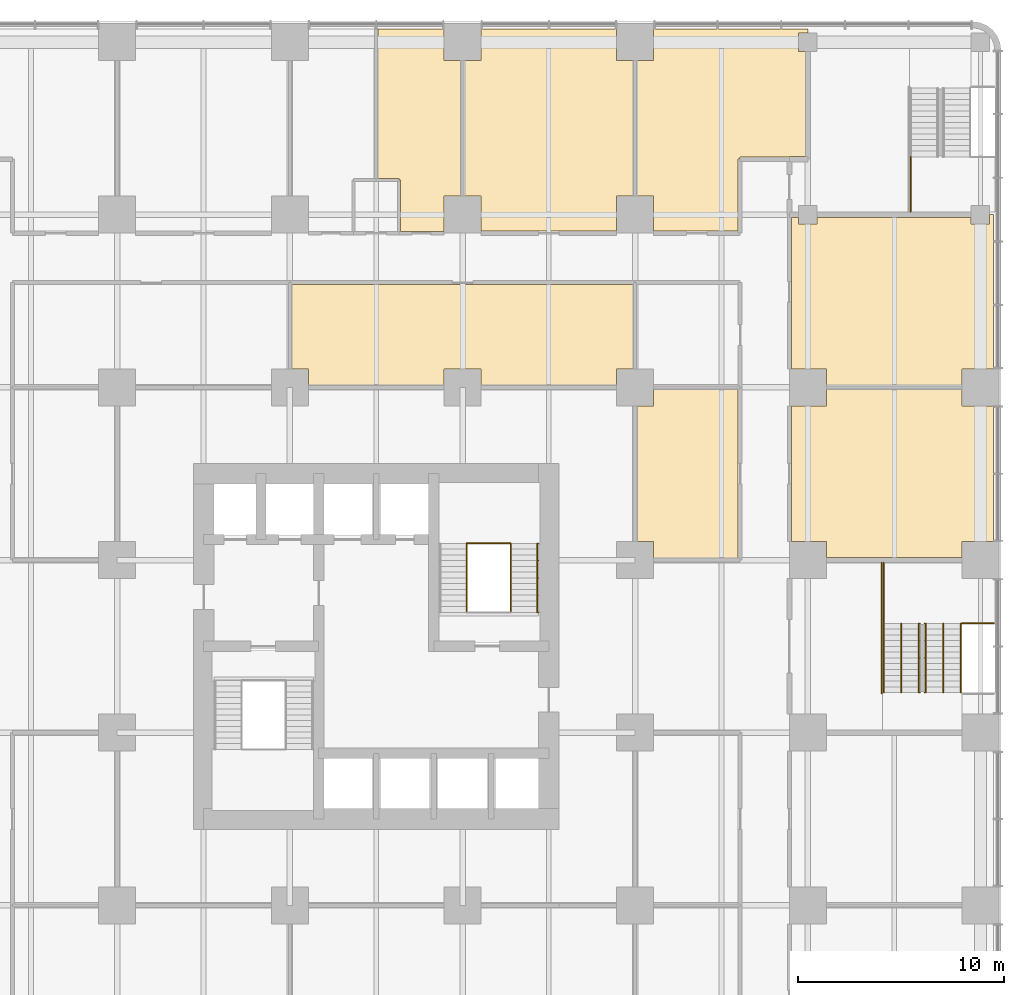
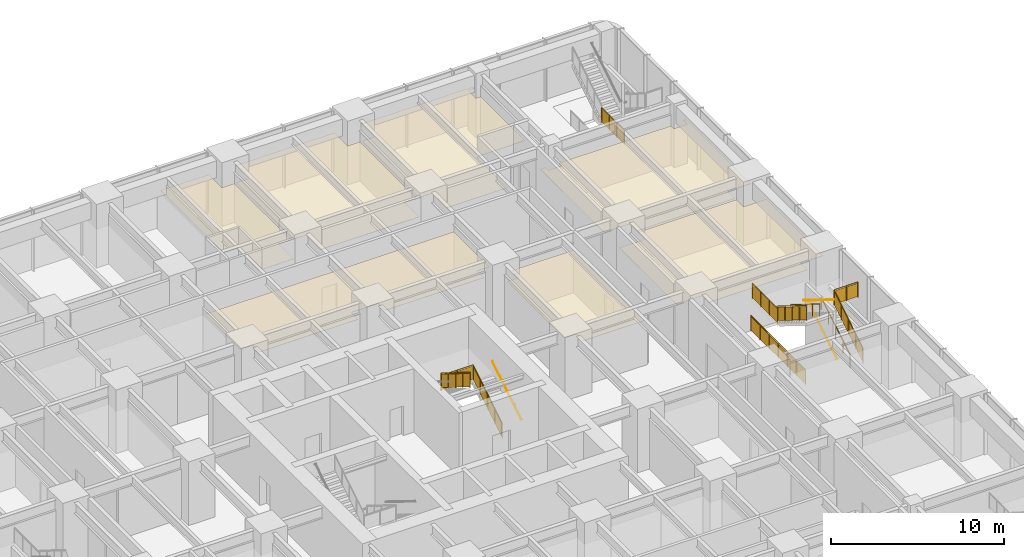
# One storey, part 18 of 19: 14 railings, 7 coverings.
"""IFC4 building model written with IfcOpenShell, lengths in metres."""

from ifc_helpers import new_model, si_unit, direction, frame, origin, origin_2d, place, context, subcontext, project, spatial, polyline, circle, outline, extrude, material, layer, layer_set, type_object, element, save


model = new_model("IFC4")

# Units and contexts
model_context = context("Model", 3, precision=1e-05, world=origin(), true_north=direction((0.0, 1.0)))
body_context = subcontext(model_context, "Body", "Model", "MODEL_VIEW")
ifc_project = project(units=[si_unit("LENGTHUNIT", "METRE"), si_unit("AREAUNIT", "SQUARE_METRE"), si_unit("VOLUMEUNIT", "CUBIC_METRE"), si_unit("PLANEANGLEUNIT", "RADIAN"), si_unit("MASSUNIT", "GRAM", prefix="KILO")], contexts=[model_context])

# Site, building, storey
site_placement = place(None, origin())
site = spatial("IfcSite", under=ifc_project, at=site_placement, CompositionType="ELEMENT")
building_placement = place(site_placement, origin())
building = spatial("IfcBuilding", under=site, at=building_placement, Name="Torre Alcanfor", CompositionType="ELEMENT")
storey_placement = place(building_placement, frame((0.0, 0.0, 15.0)))
storey = spatial("IfcBuildingStorey", under=building, at=storey_placement, Name="L03", CompositionType="ELEMENT", Elevation=15.0)

# Coverings
ifc_material_1 = material(Name="Mineral fibre acoustic tile 20 mm, NRC 0.70, on exposed suspension grid", Category="mineral fibre")
ifc_layer_1 = layer(ifc_material_1, 0.02001953125)
ifc_layer_set_1 = layer_set([ifc_layer_1], Name="Acoustic suspended ceiling 600x600 mineral fibre tile")
covering_type_1 = type_object("IfcCoveringType", Name="Acoustic suspended ceiling 600x600 mineral fibre tile", PredefinedType="CEILING", material=ifc_layer_set_1)
covering_1_placement = place(storey_placement, frame((0.0, 0.0, 2.75)))
element("IfcCovering", 1, at=covering_1_placement, inside=storey, type_object=covering_type_1, Name="Ceiling L03-13", PredefinedType="CEILING", context=body_context, shape_type="SweptSolid", body=[
    extrude(outline(polyline([(57.89990234375, 33.72509765625), (57.89990234375, 34.5), (59.425048828125, 34.5), (59.425048828125, 41.10009765625), (57.89990234375, 41.10009765625), (57.89990234375, 41.925048828125), (51.300048828125, 41.925048828125), (51.300048828125, 41.10009765625), (49.60009765625, 41.10009765625), (49.60009765625, 34.5), (51.300048828125, 34.5), (51.300048828125, 33.72509765625), (57.89990234375, 33.72509765625)])), origin(), (0.0, 0.0, 1.0), 0.02001953125),
])
covering_2_placement = place(storey_placement, frame((0.0, 0.0, 2.75)))
element("IfcCovering", 2, at=covering_2_placement, inside=storey, type_object=covering_type_1, Name="Ceiling L03-15", PredefinedType="CEILING", context=body_context, shape_type="SweptSolid", body=[
    extrude(outline(polyline([(57.89990234375, 42.074951171875), (57.89990234375, 42.89990234375), (59.425048828125, 42.89990234375), (59.425048828125, 50.39990234375), (59.25, 50.39990234375), (59.25, 49.949951171875), (58.35009765625, 49.949951171875), (58.35009765625, 50.27490234375), (50.85009765625, 50.27490234375), (50.85009765625, 49.949951171875), (49.949951171875, 49.949951171875), (49.949951171875, 50.27490234375), (49.60009765625, 50.27490234375), (49.60009765625, 42.89990234375), (51.300048828125, 42.89990234375), (51.300048828125, 42.074951171875), (57.89990234375, 42.074951171875)])), origin(), (0.0, 0.0, 1.0), 0.02001953125),
])
covering_3_placement = place(storey_placement, frame((0.0, 0.0, 2.75)))
element("IfcCovering", 3, at=covering_3_placement, inside=storey, type_object=covering_type_1, Name="Ceiling L03-17", PredefinedType="CEILING", context=body_context, shape_type="SweptSolid", body=[
    extrude(outline(polyline([(33.675048828125, 51.300048828125), (34.5, 51.300048828125), (34.5, 49.60009765625), (41.10009765625, 49.60009765625), (41.10009765625, 51.300048828125), (41.925048828125, 51.300048828125), (41.925048828125, 57.89990234375), (41.10009765625, 57.89990234375), (41.10009765625, 59.425048828125), (34.5, 59.425048828125), (34.5, 57.89990234375), (33.675048828125, 57.89990234375), (33.675048828125, 51.300048828125)])), origin(), (0.0, 0.0, 1.0), 0.02001953125),
])
covering_4_placement = place(storey_placement, frame((0.0, 0.0, 2.75)))
element("IfcCovering", 4, at=covering_4_placement, inside=storey, type_object=covering_type_1, Name="Ceiling L03-21", PredefinedType="CEILING", context=body_context, shape_type="SweptSolid", body=[
    extrude(outline(polyline([(49.949951171875, 59.25), (50.39990234375, 59.25), (50.39990234375, 59.425048828125), (42.89990234375, 59.425048828125), (42.89990234375, 57.89990234375), (42.074951171875, 57.89990234375), (42.074951171875, 51.300048828125), (42.89990234375, 51.300048828125), (42.89990234375, 49.60009765625), (47.0, 49.60009765625), (47.0, 53.10009765625), (47.10009765625, 53.10009765625), (47.10009765625, 53.199951171875), (49.5, 53.199951171875), (49.5, 53.22509765625), (50.27490234375, 53.22509765625), (50.27490234375, 58.35009765625), (49.949951171875, 58.35009765625), (49.949951171875, 59.25)])), origin(), (0.0, 0.0, 1.0), 0.02001953125),
])
covering_5_placement = place(storey_placement, frame((0.0, 0.0, 3.0)))
element("IfcCovering", 5, at=covering_5_placement, inside=storey, type_object=covering_type_1, Name="Ceiling L03-I07", PredefinedType="CEILING", context=body_context, shape_type="SweptSolid", body=[
    extrude(outline(polyline([(42.10009765625, 34.5), (42.89990234375, 34.5), (42.89990234375, 33.699951171875), (47.0, 33.699951171875), (47.0, 41.925048828125), (42.89990234375, 41.925048828125), (42.89990234375, 41.10009765625), (42.10009765625, 41.10009765625), (42.10009765625, 34.5)])), origin(), (0.0, 0.0, 1.0), 0.02001953125),
])
covering_6_placement = place(storey_placement, frame((0.0, 0.0, 3.0)))
element("IfcCovering", 6, at=covering_6_placement, inside=storey, type_object=covering_type_1, Name="Ceiling L03-I09", PredefinedType="CEILING", context=body_context, shape_type="SweptSolid", body=[
    extrude(outline(polyline([(41.10009765625, 42.10009765625), (41.10009765625, 42.89990234375), (41.925048828125, 42.89990234375), (41.925048828125, 47.0), (25.27490234375, 47.0), (25.27490234375, 42.89990234375), (26.10009765625, 42.89990234375), (26.10009765625, 42.10009765625), (32.699951171875, 42.10009765625), (32.699951171875, 42.89990234375), (34.5, 42.89990234375), (34.5, 42.10009765625), (41.10009765625, 42.10009765625)])), origin(), (0.0, 0.0, 1.0), 0.02001953125),
])
ifc_material_2 = material(Name="Moisture-resistant gypsum plasterboard 12.5 mm on concealed suspension frame", Category="gypsum")
ifc_layer_2 = layer(ifc_material_2, 0.012451171875)
ifc_layer_set_2 = layer_set([ifc_layer_2], Name="Moisture-resistant plasterboard ceiling 12.5")
covering_type_2 = type_object("IfcCoveringType", Name="Moisture-resistant plasterboard ceiling 12.5", PredefinedType="CEILING", material=ifc_layer_set_2)
covering_7_placement = place(storey_placement, frame((0.0, 0.0, 2.75)))
element("IfcCovering", 7, at=covering_7_placement, inside=storey, type_object=covering_type_2, Name="Ceiling L03-WCN3", PredefinedType="CEILING", context=body_context, shape_type="SweptSolid", body=[
    extrude(outline(polyline([(33.52490234375, 57.89990234375), (32.699951171875, 57.89990234375), (32.699951171875, 59.425048828125), (29.47509765625, 59.425048828125), (29.47509765625, 52.175048828125), (30.5, 52.175048828125), (30.5, 52.10009765625), (30.574951171875, 52.10009765625), (30.574951171875, 49.574951171875), (32.699951171875, 49.574951171875), (32.699951171875, 51.300048828125), (33.52490234375, 51.300048828125), (33.52490234375, 57.89990234375)])), origin(), (0.0, 0.0, 1.0), 0.012451171875),
])

# Railings
ifc_material_3 = material(Name="Steel ASTM A500 Grade C hollow sections", Category="steel")
railing_type_1 = type_object("IfcRailingType", Name="Stair guard and handrail 1100", PredefinedType="GUARDRAIL", material=ifc_material_3)
railing_1_placement = place(storey_placement, frame((35.949951171875, 31.050048828125, 0.173095703125)))
element("IfcRailing", 8, at=railing_1_placement, inside=storey, type_object=railing_type_1, Name="Stair guard S2 L03 flight 1", PredefinedType="GUARDRAIL", context=body_context, shape_type="SweptSolid", body=[
    extrude(circle(Radius=0.02392578125, at=origin_2d()), frame((0.0, 0.0, 1.076171875), z_axis=(0.0, 0.850606129759, 0.525803396734), x_axis=(-1.0, 0.0, 0.0)), (0.0, 0.0, 1.0), 3.949951171875),
    extrude(circle(Radius=0.02099609375, at=origin_2d()), origin(), (0.0, 0.0, 1.0), 1.052001953125),
    extrude(circle(Radius=0.02099609375, at=origin_2d()), frame((0.0, 0.83984375, 0.519287109375)), (0.0, 0.0, 1.0), 1.052001953125),
    extrude(circle(Radius=0.02099609375, at=origin_2d()), frame((0.0, 1.679931640625, 1.03857421875)), (0.0, 0.0, 1.0), 1.052001953125),
    extrude(circle(Radius=0.02099609375, at=origin_2d()), frame((0.0, 2.52001953125, 1.5576171875)), (0.0, 0.0, 1.0), 1.052001953125),
    extrude(circle(Radius=0.02099609375, at=origin_2d()), frame((0.0, 3.35986328125, 2.076904296875)), (0.0, 0.0, 1.0), 1.052001953125),
    extrude(outline(polyline([(0.041015625, 0.075439453125), (0.799072265625, 0.5439453125), (0.799072265625, 1.495849609375), (0.041015625, 1.02734375), (0.041015625, 0.075439453125)])), frame((-0.005859375, 0.0, 0.0), z_axis=(1.0, 0.0, 0.0), x_axis=(0.0, 1.0, 0.0)), (0.0, 0.0, 1.0), 0.011962890625),
    extrude(outline(polyline([(0.880859375, 0.594482421875), (1.638916015625, 1.06298828125), (1.638916015625, 2.01513671875), (0.880859375, 1.546630859375), (0.880859375, 0.594482421875)])), frame((-0.005859375, 0.0, 0.0), z_axis=(1.0, 0.0, 0.0), x_axis=(0.0, 1.0, 0.0)), (0.0, 0.0, 1.0), 0.011962890625),
    extrude(outline(polyline([(1.720947265625, 1.11376953125), (2.47900390625, 1.582275390625), (2.47900390625, 2.534423828125), (1.720947265625, 2.06591796875), (1.720947265625, 1.11376953125)])), frame((-0.005859375, 0.0, 0.0), z_axis=(1.0, 0.0, 0.0), x_axis=(0.0, 1.0, 0.0)), (0.0, 0.0, 1.0), 0.011962890625),
    extrude(outline(polyline([(2.560791015625, 1.633056640625), (3.31884765625, 2.1015625), (3.31884765625, 3.053466796875), (2.560791015625, 2.5849609375), (2.560791015625, 1.633056640625)])), frame((-0.005859375, 0.0, 0.0), z_axis=(1.0, 0.0, 0.0), x_axis=(0.0, 1.0, 0.0)), (0.0, 0.0, 1.0), 0.011962890625),
])
railing_2_placement = place(storey_placement, frame((33.800048828125, 34.409912109375, 2.423095703125)))
element("IfcRailing", 9, at=railing_2_placement, inside=storey, type_object=railing_type_1, Name="Stair guard S2 L03 flight 2", PredefinedType="GUARDRAIL", context=body_context, shape_type="SweptSolid", body=[
    extrude(circle(Radius=0.02392578125, at=origin_2d()), frame((0.0, 0.0, 1.076171875), z_axis=(0.0, -0.850606129759, 0.525803396734), x_axis=(1.0, 0.0, 0.0)), (0.0, 0.0, 1.0), 3.949951171875),
    extrude(circle(Radius=0.02099609375, at=origin_2d()), origin(), (0.0, 0.0, 1.0), 1.052001953125),
    extrude(circle(Radius=0.02099609375, at=origin_2d()), frame((0.0, -0.83984375, 0.519287109375)), (0.0, 0.0, 1.0), 1.052001953125),
    extrude(circle(Radius=0.02099609375, at=origin_2d()), frame((0.0, -1.679931640625, 1.03857421875)), (0.0, 0.0, 1.0), 1.052001953125),
    extrude(circle(Radius=0.02099609375, at=origin_2d()), frame((0.0, -2.52001953125, 1.5576171875)), (0.0, 0.0, 1.0), 1.052001953125),
    extrude(circle(Radius=0.02099609375, at=origin_2d()), frame((0.0, -3.35986328125, 2.076904296875)), (0.0, 0.0, 1.0), 1.052001953125),
    extrude(outline(polyline([(0.041015625, 0.075439453125), (0.799072265625, 0.5439453125), (0.799072265625, 1.495849609375), (0.041015625, 1.02734375), (0.041015625, 0.075439453125)])), frame((0.005859375, 0.0, 0.0), z_axis=(-1.0, 0.0, 0.0), x_axis=(0.0, -1.0, 0.0)), (0.0, 0.0, 1.0), 0.011962890625),
    extrude(outline(polyline([(0.880859375, 0.594482421875), (1.638916015625, 1.06298828125), (1.638916015625, 2.01513671875), (0.880859375, 1.546630859375), (0.880859375, 0.594482421875)])), frame((0.005859375, 0.0, 0.0), z_axis=(-1.0, 0.0, 0.0), x_axis=(0.0, -1.0, 0.0)), (0.0, 0.0, 1.0), 0.011962890625),
    extrude(outline(polyline([(1.720947265625, 1.11376953125), (2.47900390625, 1.582275390625), (2.47900390625, 2.534423828125), (1.720947265625, 2.06591796875), (1.720947265625, 1.11376953125)])), frame((0.005859375, 0.0, 0.0), z_axis=(-1.0, 0.0, 0.0), x_axis=(0.0, -1.0, 0.0)), (0.0, 0.0, 1.0), 0.011962890625),
    extrude(outline(polyline([(2.560791015625, 1.633056640625), (3.31884765625, 2.1015625), (3.31884765625, 3.053466796875), (2.560791015625, 2.5849609375), (2.560791015625, 1.633056640625)])), frame((0.005859375, 0.0, 0.0), z_axis=(-1.0, 0.0, 0.0), x_axis=(0.0, -1.0, 0.0)), (0.0, 0.0, 1.0), 0.011962890625),
])
railing_3_placement = place(storey_placement, frame((33.800048828125, 34.409912109375, 2.25)))
element("IfcRailing", 10, at=railing_3_placement, inside=storey, type_object=railing_type_1, Name="Stair well guard S2 L03 half landing", PredefinedType="GUARDRAIL", context=body_context, shape_type="SweptSolid", body=[
    extrude(circle(Radius=0.02392578125, at=origin_2d()), frame((0.0, 0.0, 1.076171875), z_axis=(1.0, 0.0, 0.0), x_axis=(0.0, 1.0, 0.0)), (0.0, 0.0, 1.0), 2.14990234375),
    extrude(circle(Radius=0.02099609375, at=origin_2d()), origin(), (0.0, 0.0, 1.0), 1.052001953125),
    extrude(circle(Radius=0.02099609375, at=origin_2d()), frame((1.074951171875, 0.0, 0.0)), (0.0, 0.0, 1.0), 1.052001953125),
    extrude(circle(Radius=0.02099609375, at=origin_2d()), frame((2.14990234375, 0.0, 0.0)), (0.0, 0.0, 1.0), 1.052001953125),
    extrude(outline(polyline([(0.041015625, 0.050048828125), (1.033935546875, 0.050048828125), (1.033935546875, 1.001953125), (0.041015625, 1.001953125), (0.041015625, 0.050048828125)])), frame((0.0, 0.005859375, 0.0), z_axis=(0.0, -1.0, 0.0), x_axis=(1.0, 0.0, 0.0)), (0.0, 0.0, 1.0), 0.011962890625),
    extrude(outline(polyline([(1.115966796875, 0.050048828125), (2.10888671875, 0.050048828125), (2.10888671875, 1.001953125), (1.115966796875, 1.001953125), (1.115966796875, 0.050048828125)])), frame((0.0, 0.005859375, 0.0), z_axis=(0.0, -1.0, 0.0), x_axis=(1.0, 0.0, 0.0)), (0.0, 0.0, 1.0), 0.011962890625),
])
railing_4_placement = place(storey_placement, frame((53.989990234375, 27.10498046875, 0.0)))
element("IfcRailing", 11, at=railing_4_placement, inside=storey, type_object=railing_type_1, Name="Stair well guard SS2 L03 door side", PredefinedType="GUARDRAIL", context=body_context, shape_type="SweptSolid", body=[
    extrude(circle(Radius=0.02392578125, at=origin_2d()), frame((0.0, 0.0, 1.076171875), z_axis=(0.0, 1.0, 0.0), x_axis=(-1.0, 0.0, 0.0)), (0.0, 0.0, 1.0), 6.360107421875),
    extrude(circle(Radius=0.02099609375, at=origin_2d()), origin(), (0.0, 0.0, 1.0), 1.052001953125),
    extrude(circle(Radius=0.02099609375, at=origin_2d()), frame((0.0, 1.06005859375, 0.0)), (0.0, 0.0, 1.0), 1.052001953125),
    extrude(circle(Radius=0.02099609375, at=origin_2d()), frame((0.0, 2.1201171875, 0.0)), (0.0, 0.0, 1.0), 1.052001953125),
    extrude(circle(Radius=0.02099609375, at=origin_2d()), frame((0.0, 3.18017578125, 0.0)), (0.0, 0.0, 1.0), 1.052001953125),
    extrude(circle(Radius=0.02099609375, at=origin_2d()), frame((0.0, 4.239990234375, 0.0)), (0.0, 0.0, 1.0), 1.052001953125),
    extrude(circle(Radius=0.02099609375, at=origin_2d()), frame((0.0, 5.300048828125, 0.0)), (0.0, 0.0, 1.0), 1.052001953125),
    extrude(circle(Radius=0.02099609375, at=origin_2d()), frame((0.0, 6.360107421875, 0.0)), (0.0, 0.0, 1.0), 1.052001953125),
    extrude(outline(polyline([(0.041015625, 0.050048828125), (1.01904296875, 0.050048828125), (1.01904296875, 1.001953125), (0.041015625, 1.001953125), (0.041015625, 0.050048828125)])), frame((-0.005859375, 0.0, 0.0), z_axis=(1.0, 0.0, 0.0), x_axis=(0.0, 1.0, 0.0)), (0.0, 0.0, 1.0), 0.011962890625),
    extrude(outline(polyline([(1.10107421875, 0.050048828125), (2.0791015625, 0.050048828125), (2.0791015625, 1.001953125), (1.10107421875, 1.001953125), (1.10107421875, 0.050048828125)])), frame((-0.005859375, 0.0, 0.0), z_axis=(1.0, 0.0, 0.0), x_axis=(0.0, 1.0, 0.0)), (0.0, 0.0, 1.0), 0.011962890625),
    extrude(outline(polyline([(2.1611328125, 0.050048828125), (3.13916015625, 0.050048828125), (3.13916015625, 1.001953125), (2.1611328125, 1.001953125), (2.1611328125, 0.050048828125)])), frame((-0.005859375, 0.0, 0.0), z_axis=(1.0, 0.0, 0.0), x_axis=(0.0, 1.0, 0.0)), (0.0, 0.0, 1.0), 0.011962890625),
    extrude(outline(polyline([(3.220947265625, 0.050048828125), (4.198974609375, 0.050048828125), (4.198974609375, 1.001953125), (3.220947265625, 1.001953125), (3.220947265625, 0.050048828125)])), frame((-0.005859375, 0.0, 0.0), z_axis=(1.0, 0.0, 0.0), x_axis=(0.0, 1.0, 0.0)), (0.0, 0.0, 1.0), 0.011962890625),
    extrude(outline(polyline([(4.281005859375, 0.050048828125), (5.259033203125, 0.050048828125), (5.259033203125, 1.001953125), (4.281005859375, 1.001953125), (4.281005859375, 0.050048828125)])), frame((-0.005859375, 0.0, 0.0), z_axis=(1.0, 0.0, 0.0), x_axis=(0.0, 1.0, 0.0)), (0.0, 0.0, 1.0), 0.011962890625),
    extrude(outline(polyline([(5.341064453125, 0.050048828125), (6.319091796875, 0.050048828125), (6.319091796875, 1.001953125), (5.341064453125, 1.001953125), (5.341064453125, 0.050048828125)])), frame((-0.005859375, 0.0, 0.0), z_axis=(1.0, 0.0, 0.0), x_axis=(0.0, 1.0, 0.0)), (0.0, 0.0, 1.0), 0.011962890625),
])
railing_5_placement = place(storey_placement, frame((57.85009765625, 27.155029296875, 0.173095703125)))
element("IfcRailing", 12, at=railing_5_placement, inside=storey, type_object=railing_type_1, Name="Stair guard SS2 L03 flight 1", PredefinedType="GUARDRAIL", context=body_context, shape_type="SweptSolid", body=[
    extrude(circle(Radius=0.02392578125, at=origin_2d()), frame((0.0, 0.0, 1.076171875), z_axis=(0.0, 0.850606129759, 0.525803396734), x_axis=(-1.0, 0.0, 0.0)), (0.0, 0.0, 1.0), 3.949951171875),
    extrude(circle(Radius=0.02099609375, at=origin_2d()), origin(), (0.0, 0.0, 1.0), 1.052001953125),
    extrude(circle(Radius=0.02099609375, at=origin_2d()), frame((0.0, 0.83984375, 0.519287109375)), (0.0, 0.0, 1.0), 1.052001953125),
    extrude(circle(Radius=0.02099609375, at=origin_2d()), frame((0.0, 1.679931640625, 1.03857421875)), (0.0, 0.0, 1.0), 1.052001953125),
    extrude(circle(Radius=0.02099609375, at=origin_2d()), frame((0.0, 2.52001953125, 1.5576171875)), (0.0, 0.0, 1.0), 1.052001953125),
    extrude(circle(Radius=0.02099609375, at=origin_2d()), frame((0.0, 3.35986328125, 2.076904296875)), (0.0, 0.0, 1.0), 1.052001953125),
    extrude(outline(polyline([(0.041015625, 0.075439453125), (0.799072265625, 0.5439453125), (0.799072265625, 1.495849609375), (0.041015625, 1.02734375), (0.041015625, 0.075439453125)])), frame((-0.005859375, 0.0, 0.0), z_axis=(1.0, 0.0, 0.0), x_axis=(0.0, 1.0, 0.0)), (0.0, 0.0, 1.0), 0.011962890625),
    extrude(outline(polyline([(0.880859375, 0.594482421875), (1.638916015625, 1.06298828125), (1.638916015625, 2.01513671875), (0.880859375, 1.546630859375), (0.880859375, 0.594482421875)])), frame((-0.005859375, 0.0, 0.0), z_axis=(1.0, 0.0, 0.0), x_axis=(0.0, 1.0, 0.0)), (0.0, 0.0, 1.0), 0.011962890625),
    extrude(outline(polyline([(1.720947265625, 1.11376953125), (2.47900390625, 1.582275390625), (2.47900390625, 2.534423828125), (1.720947265625, 2.06591796875), (1.720947265625, 1.11376953125)])), frame((-0.005859375, 0.0, 0.0), z_axis=(1.0, 0.0, 0.0), x_axis=(0.0, 1.0, 0.0)), (0.0, 0.0, 1.0), 0.011962890625),
    extrude(outline(polyline([(2.560791015625, 1.633056640625), (3.31884765625, 2.1015625), (3.31884765625, 3.053466796875), (2.560791015625, 2.5849609375), (2.560791015625, 1.633056640625)])), frame((-0.005859375, 0.0, 0.0), z_axis=(1.0, 0.0, 0.0), x_axis=(0.0, 1.0, 0.0)), (0.0, 0.0, 1.0), 0.011962890625),
])
railing_6_placement = place(storey_placement, frame((54.090087890625, 30.514892578125, 2.423095703125)))
element("IfcRailing", 13, at=railing_6_placement, inside=storey, type_object=railing_type_1, Name="Stair guard SS2 L03 flight 2", PredefinedType="GUARDRAIL", context=body_context, shape_type="SweptSolid", body=[
    extrude(circle(Radius=0.02392578125, at=origin_2d()), frame((0.0, 0.0, 1.076171875), z_axis=(0.0, -0.850606129759, 0.525803396734), x_axis=(1.0, 0.0, 0.0)), (0.0, 0.0, 1.0), 3.949951171875),
    extrude(circle(Radius=0.02099609375, at=origin_2d()), origin(), (0.0, 0.0, 1.0), 1.052001953125),
    extrude(circle(Radius=0.02099609375, at=origin_2d()), frame((0.0, -0.83984375, 0.519287109375)), (0.0, 0.0, 1.0), 1.052001953125),
    extrude(circle(Radius=0.02099609375, at=origin_2d()), frame((0.0, -1.679931640625, 1.03857421875)), (0.0, 0.0, 1.0), 1.052001953125),
    extrude(circle(Radius=0.02099609375, at=origin_2d()), frame((0.0, -2.52001953125, 1.5576171875)), (0.0, 0.0, 1.0), 1.052001953125),
    extrude(circle(Radius=0.02099609375, at=origin_2d()), frame((0.0, -3.35986328125, 2.076904296875)), (0.0, 0.0, 1.0), 1.052001953125),
    extrude(outline(polyline([(0.041015625, 0.075439453125), (0.799072265625, 0.5439453125), (0.799072265625, 1.495849609375), (0.041015625, 1.02734375), (0.041015625, 0.075439453125)])), frame((0.005859375, 0.0, 0.0), z_axis=(-1.0, 0.0, 0.0), x_axis=(0.0, -1.0, 0.0)), (0.0, 0.0, 1.0), 0.011962890625),
    extrude(outline(polyline([(0.880859375, 0.594482421875), (1.638916015625, 1.06298828125), (1.638916015625, 2.01513671875), (0.880859375, 1.546630859375), (0.880859375, 0.594482421875)])), frame((0.005859375, 0.0, 0.0), z_axis=(-1.0, 0.0, 0.0), x_axis=(0.0, -1.0, 0.0)), (0.0, 0.0, 1.0), 0.011962890625),
    extrude(outline(polyline([(1.720947265625, 1.11376953125), (2.47900390625, 1.582275390625), (2.47900390625, 2.534423828125), (1.720947265625, 2.06591796875), (1.720947265625, 1.11376953125)])), frame((0.005859375, 0.0, 0.0), z_axis=(-1.0, 0.0, 0.0), x_axis=(0.0, -1.0, 0.0)), (0.0, 0.0, 1.0), 0.011962890625),
    extrude(outline(polyline([(2.560791015625, 1.633056640625), (3.31884765625, 2.1015625), (3.31884765625, 3.053466796875), (2.560791015625, 2.5849609375), (2.560791015625, 1.633056640625)])), frame((0.005859375, 0.0, 0.0), z_axis=(-1.0, 0.0, 0.0), x_axis=(0.0, -1.0, 0.0)), (0.0, 0.0, 1.0), 0.011962890625),
])
railing_7_placement = place(storey_placement, frame((59.449951171875, 30.514892578125, 2.25)))
element("IfcRailing", 14, at=railing_7_placement, inside=storey, type_object=railing_type_1, Name="Stair guard SS2 L03 half landing facade strip", PredefinedType="GUARDRAIL", context=body_context, shape_type="SweptSolid", body=[
    extrude(circle(Radius=0.02392578125, at=origin_2d()), frame((0.0, 0.0, 1.076171875), z_axis=(-1.0, 0.0, 0.0), x_axis=(0.0, -1.0, 0.0)), (0.0, 0.0, 1.0), 1.550048828125),
    extrude(circle(Radius=0.02099609375, at=origin_2d()), origin(), (0.0, 0.0, 1.0), 1.052001953125),
    extrude(circle(Radius=0.02099609375, at=origin_2d()), frame((-0.77490234375, 0.0, 0.0)), (0.0, 0.0, 1.0), 1.052001953125),
    extrude(circle(Radius=0.02099609375, at=origin_2d()), frame((-1.550048828125, 0.0, 0.0)), (0.0, 0.0, 1.0), 1.052001953125),
    extrude(outline(polyline([(0.041015625, 0.050048828125), (0.734130859375, 0.050048828125), (0.734130859375, 1.001953125), (0.041015625, 1.001953125), (0.041015625, 0.050048828125)])), frame((0.0, -0.005859375, 0.0), z_axis=(0.0, 1.0, 0.0), x_axis=(-1.0, 0.0, 0.0)), (0.0, 0.0, 1.0), 0.011962890625),
    extrude(outline(polyline([(0.81591796875, 0.050048828125), (1.509033203125, 0.050048828125), (1.509033203125, 1.001953125), (0.81591796875, 1.001953125), (0.81591796875, 0.050048828125)])), frame((0.0, -0.005859375, 0.0), z_axis=(0.0, 1.0, 0.0), x_axis=(-1.0, 0.0, 0.0)), (0.0, 0.0, 1.0), 0.011962890625),
])
railing_8_placement = place(storey_placement, frame((54.090087890625, 30.514892578125, 2.25)))
element("IfcRailing", 15, at=railing_8_placement, inside=storey, type_object=railing_type_1, Name="Stair guard SS2 L03 half landing", PredefinedType="GUARDRAIL", context=body_context, shape_type="SweptSolid", body=[
    extrude(circle(Radius=0.02392578125, at=origin_2d()), frame((0.0, 0.0, 1.076171875), z_axis=(0.0, 1.0, 0.0), x_axis=(-1.0, 0.0, 0.0)), (0.0, 0.0, 1.0), 2.9501953125),
    extrude(circle(Radius=0.02099609375, at=origin_2d()), origin(), (0.0, 0.0, 1.0), 1.052001953125),
    extrude(circle(Radius=0.02099609375, at=origin_2d()), frame((0.0, 0.9833984375, 0.0)), (0.0, 0.0, 1.0), 1.052001953125),
    extrude(circle(Radius=0.02099609375, at=origin_2d()), frame((0.0, 1.966796875, 0.0)), (0.0, 0.0, 1.0), 1.052001953125),
    extrude(circle(Radius=0.02099609375, at=origin_2d()), frame((0.0, 2.9501953125, 0.0)), (0.0, 0.0, 1.0), 1.052001953125),
    extrude(outline(polyline([(0.041015625, 0.050048828125), (0.9423828125, 0.050048828125), (0.9423828125, 1.001953125), (0.041015625, 1.001953125), (0.041015625, 0.050048828125)])), frame((-0.005859375, 0.0, 0.0), z_axis=(1.0, 0.0, 0.0), x_axis=(0.0, 1.0, 0.0)), (0.0, 0.0, 1.0), 0.011962890625),
    extrude(outline(polyline([(1.0244140625, 0.050048828125), (1.92578125, 0.050048828125), (1.92578125, 1.001953125), (1.0244140625, 1.001953125), (1.0244140625, 0.050048828125)])), frame((-0.005859375, 0.0, 0.0), z_axis=(1.0, 0.0, 0.0), x_axis=(0.0, 1.0, 0.0)), (0.0, 0.0, 1.0), 0.011962890625),
    extrude(outline(polyline([(2.0078125, 0.050048828125), (2.9091796875, 0.050048828125), (2.9091796875, 1.001953125), (2.0078125, 1.001953125), (2.0078125, 0.050048828125)])), frame((-0.005859375, 0.0, 0.0), z_axis=(1.0, 0.0, 0.0), x_axis=(0.0, 1.0, 0.0)), (0.0, 0.0, 1.0), 0.011962890625),
])
railing_9_placement = place(storey_placement, frame((55.39990234375, 53.215087890625, 2.25)))
element("IfcRailing", 16, at=railing_9_placement, inside=storey, type_object=railing_type_1, Name="Stair guard SS4 L03 half landing", PredefinedType="GUARDRAIL", context=body_context, shape_type="SweptSolid", body=[
    extrude(circle(Radius=0.02392578125, at=origin_2d()), frame((0.0, 0.0, 1.076171875), z_axis=(0.0, -1.0, 0.0), x_axis=(1.0, 0.0, 0.0)), (0.0, 0.0, 1.0), 2.675048828125),
    extrude(circle(Radius=0.02099609375, at=origin_2d()), origin(), (0.0, 0.0, 1.0), 1.052001953125),
    extrude(circle(Radius=0.02099609375, at=origin_2d()), frame((0.0, -0.8916015625, 0.0)), (0.0, 0.0, 1.0), 1.052001953125),
    extrude(circle(Radius=0.02099609375, at=origin_2d()), frame((0.0, -1.783447265625, 0.0)), (0.0, 0.0, 1.0), 1.052001953125),
    extrude(circle(Radius=0.02099609375, at=origin_2d()), frame((0.0, -2.675048828125, 0.0)), (0.0, 0.0, 1.0), 1.052001953125),
    extrude(outline(polyline([(0.041015625, 0.050048828125), (0.8505859375, 0.050048828125), (0.8505859375, 1.001953125), (0.041015625, 1.001953125), (0.041015625, 0.050048828125)])), frame((0.005859375, 0.0, 0.0), z_axis=(-1.0, 0.0, 0.0), x_axis=(0.0, -1.0, 0.0)), (0.0, 0.0, 1.0), 0.011962890625),
    extrude(outline(polyline([(0.9326171875, 0.050048828125), (1.742431640625, 0.050048828125), (1.742431640625, 1.001953125), (0.9326171875, 1.001953125), (0.9326171875, 0.050048828125)])), frame((0.005859375, 0.0, 0.0), z_axis=(-1.0, 0.0, 0.0), x_axis=(0.0, -1.0, 0.0)), (0.0, 0.0, 1.0), 0.011962890625),
    extrude(outline(polyline([(1.824462890625, 0.050048828125), (2.634033203125, 0.050048828125), (2.634033203125, 1.001953125), (1.824462890625, 1.001953125), (1.824462890625, 0.050048828125)])), frame((0.005859375, 0.0, 0.0), z_axis=(-1.0, 0.0, 0.0), x_axis=(0.0, -1.0, 0.0)), (0.0, 0.0, 1.0), 0.011962890625),
])
ifc_material_4 = material(Name="Steel ASTM A500 Grade C hollow sections", Category="steel")
railing_type_2 = type_object("IfcRailingType", Name="Stair intermediate handrail 900", PredefinedType="HANDRAIL", material=ifc_material_4)
railing_10_placement = place(storey_placement, frame((56.985107421875, 27.155029296875, 0.173095703125)))
element("IfcRailing", 17, at=railing_10_placement, inside=storey, type_object=railing_type_2, Name="Stair intermediate handrail SS2 L03 flight 1 rail 1", PredefinedType="HANDRAIL", context=body_context, shape_type="SweptSolid", body=[
    extrude(circle(Radius=0.02392578125, at=origin_2d()), frame((0.0, 0.0, 0.8759765625), z_axis=(0.0, 0.850606129759, 0.525803396734), x_axis=(-1.0, 0.0, 0.0)), (0.0, 0.0, 1.0), 3.949951171875),
    extrude(circle(Radius=0.02099609375, at=origin_2d()), origin(), (0.0, 0.0, 1.0), 0.851806640625),
    extrude(circle(Radius=0.02099609375, at=origin_2d()), frame((0.0, 0.83984375, 0.519287109375)), (0.0, 0.0, 1.0), 0.851806640625),
    extrude(circle(Radius=0.02099609375, at=origin_2d()), frame((0.0, 1.679931640625, 1.03857421875)), (0.0, 0.0, 1.0), 0.851806640625),
    extrude(circle(Radius=0.02099609375, at=origin_2d()), frame((0.0, 2.52001953125, 1.5576171875)), (0.0, 0.0, 1.0), 0.851806640625),
    extrude(circle(Radius=0.02099609375, at=origin_2d()), frame((0.0, 3.35986328125, 2.076904296875)), (0.0, 0.0, 1.0), 0.851806640625),
])
railing_11_placement = place(storey_placement, frame((54.955078125, 30.514892578125, 2.423095703125)))
element("IfcRailing", 18, at=railing_11_placement, inside=storey, type_object=railing_type_2, Name="Stair intermediate handrail SS2 L03 flight 2 rail 1", PredefinedType="HANDRAIL", context=body_context, shape_type="SweptSolid", body=[
    extrude(circle(Radius=0.02392578125, at=origin_2d()), frame((0.0, 0.0, 0.8759765625), z_axis=(0.0, -0.850606129759, 0.525803396734), x_axis=(1.0, 0.0, 0.0)), (0.0, 0.0, 1.0), 3.949951171875),
    extrude(circle(Radius=0.02099609375, at=origin_2d()), origin(), (0.0, 0.0, 1.0), 0.851806640625),
    extrude(circle(Radius=0.02099609375, at=origin_2d()), frame((0.0, -0.83984375, 0.519287109375)), (0.0, 0.0, 1.0), 0.851806640625),
    extrude(circle(Radius=0.02099609375, at=origin_2d()), frame((0.0, -1.679931640625, 1.03857421875)), (0.0, 0.0, 1.0), 0.851806640625),
    extrude(circle(Radius=0.02099609375, at=origin_2d()), frame((0.0, -2.52001953125, 1.5576171875)), (0.0, 0.0, 1.0), 0.851806640625),
    extrude(circle(Radius=0.02099609375, at=origin_2d()), frame((0.0, -3.35986328125, 2.076904296875)), (0.0, 0.0, 1.0), 0.851806640625),
])
ifc_material_5 = material(Name="Steel ASTM A500 Grade C hollow sections", Category="steel")
railing_type_3 = type_object("IfcRailingType", Name="Stair wall handrail 900", PredefinedType="HANDRAIL", material=ifc_material_5)
railing_12_placement = place(storey_placement, frame((37.235107421875, 31.050048828125, 0.173095703125)))
element("IfcRailing", 19, at=railing_12_placement, inside=storey, type_object=railing_type_3, Name="Stair handrail S2 L03 flight 1", PredefinedType="HANDRAIL", context=body_context, shape_type="SweptSolid", body=[
    extrude(circle(Radius=0.02392578125, at=origin_2d()), frame((0.0, 0.0, 0.8759765625), z_axis=(0.0, 0.850606129759, 0.525803396734), x_axis=(-1.0, 0.0, 0.0)), (0.0, 0.0, 1.0), 3.949951171875),
    extrude(circle(Radius=0.008056640625, at=origin_2d()), frame((0.0, 0.0, 0.8759765625), z_axis=(1.0, 0.0, 0.0), x_axis=(0.0, 0.0, 1.0)), (0.0, 0.0, 1.0), 0.06494140625),
    extrude(circle(Radius=0.008056640625, at=origin_2d()), frame((0.0, 0.83984375, 1.39501953125), z_axis=(1.0, 0.0, 0.0), x_axis=(0.0, 0.0, 1.0)), (0.0, 0.0, 1.0), 0.06494140625),
    extrude(circle(Radius=0.008056640625, at=origin_2d()), frame((0.0, 1.679931640625, 1.914306640625), z_axis=(1.0, 0.0, 0.0), x_axis=(0.0, 0.0, 1.0)), (0.0, 0.0, 1.0), 0.06494140625),
    extrude(circle(Radius=0.008056640625, at=origin_2d()), frame((0.0, 2.52001953125, 2.43359375), z_axis=(1.0, 0.0, 0.0), x_axis=(0.0, 0.0, 1.0)), (0.0, 0.0, 1.0), 0.06494140625),
    extrude(circle(Radius=0.008056640625, at=origin_2d()), frame((0.0, 3.35986328125, 2.95263671875), z_axis=(1.0, 0.0, 0.0), x_axis=(0.0, 0.0, 1.0)), (0.0, 0.0, 1.0), 0.06494140625),
])
railing_13_placement = place(storey_placement, frame((56.135009765625, 27.155029296875, 0.173095703125)))
element("IfcRailing", 20, at=railing_13_placement, inside=storey, type_object=railing_type_3, Name="Stair handrail SS2 L03 flight 1", PredefinedType="HANDRAIL", context=body_context, shape_type="SweptSolid", body=[
    extrude(circle(Radius=0.02392578125, at=origin_2d()), frame((0.0, 0.0, 0.8759765625), z_axis=(0.0, 0.850606129759, 0.525803396734), x_axis=(-1.0, 0.0, 0.0)), (0.0, 0.0, 1.0), 3.949951171875),
    extrude(circle(Radius=0.008056640625, at=origin_2d()), frame((0.0, 0.0, 0.8759765625), z_axis=(-1.0, 0.0, 0.0), x_axis=(0.0, 0.0, 1.0)), (0.0, 0.0, 1.0), 0.06494140625),
    extrude(circle(Radius=0.008056640625, at=origin_2d()), frame((0.0, 0.83984375, 1.39501953125), z_axis=(-1.0, 0.0, 0.0), x_axis=(0.0, 0.0, 1.0)), (0.0, 0.0, 1.0), 0.06494140625),
    extrude(circle(Radius=0.008056640625, at=origin_2d()), frame((0.0, 1.679931640625, 1.914306640625), z_axis=(-1.0, 0.0, 0.0), x_axis=(0.0, 0.0, 1.0)), (0.0, 0.0, 1.0), 0.06494140625),
    extrude(circle(Radius=0.008056640625, at=origin_2d()), frame((0.0, 2.52001953125, 2.43359375), z_axis=(-1.0, 0.0, 0.0), x_axis=(0.0, 0.0, 1.0)), (0.0, 0.0, 1.0), 0.06494140625),
    extrude(circle(Radius=0.008056640625, at=origin_2d()), frame((0.0, 3.35986328125, 2.95263671875), z_axis=(-1.0, 0.0, 0.0), x_axis=(0.0, 0.0, 1.0)), (0.0, 0.0, 1.0), 0.06494140625),
])
railing_14_placement = place(storey_placement, frame((55.804931640625, 30.514892578125, 2.423095703125)))
element("IfcRailing", 21, at=railing_14_placement, inside=storey, type_object=railing_type_3, Name="Stair handrail SS2 L03 flight 2", PredefinedType="HANDRAIL", context=body_context, shape_type="SweptSolid", body=[
    extrude(circle(Radius=0.02392578125, at=origin_2d()), frame((0.0, 0.0, 0.8759765625), z_axis=(0.0, -0.850606129759, 0.525803396734), x_axis=(1.0, 0.0, 0.0)), (0.0, 0.0, 1.0), 3.949951171875),
    extrude(circle(Radius=0.008056640625, at=origin_2d()), frame((0.0, 0.0, 0.8759765625), z_axis=(1.0, 0.0, 0.0), x_axis=(0.0, 0.0, 1.0)), (0.0, 0.0, 1.0), 0.06494140625),
    extrude(circle(Radius=0.008056640625, at=origin_2d()), frame((0.0, -0.83984375, 1.39501953125), z_axis=(1.0, 0.0, 0.0), x_axis=(0.0, 0.0, 1.0)), (0.0, 0.0, 1.0), 0.06494140625),
    extrude(circle(Radius=0.008056640625, at=origin_2d()), frame((0.0, -1.679931640625, 1.914306640625), z_axis=(1.0, 0.0, 0.0), x_axis=(0.0, 0.0, 1.0)), (0.0, 0.0, 1.0), 0.06494140625),
    extrude(circle(Radius=0.008056640625, at=origin_2d()), frame((0.0, -2.52001953125, 2.43359375), z_axis=(1.0, 0.0, 0.0), x_axis=(0.0, 0.0, 1.0)), (0.0, 0.0, 1.0), 0.06494140625),
    extrude(circle(Radius=0.008056640625, at=origin_2d()), frame((0.0, -3.35986328125, 2.95263671875), z_axis=(1.0, 0.0, 0.0), x_axis=(0.0, 0.0, 1.0)), (0.0, 0.0, 1.0), 0.06494140625),
])

save(model, "model.ifc")
